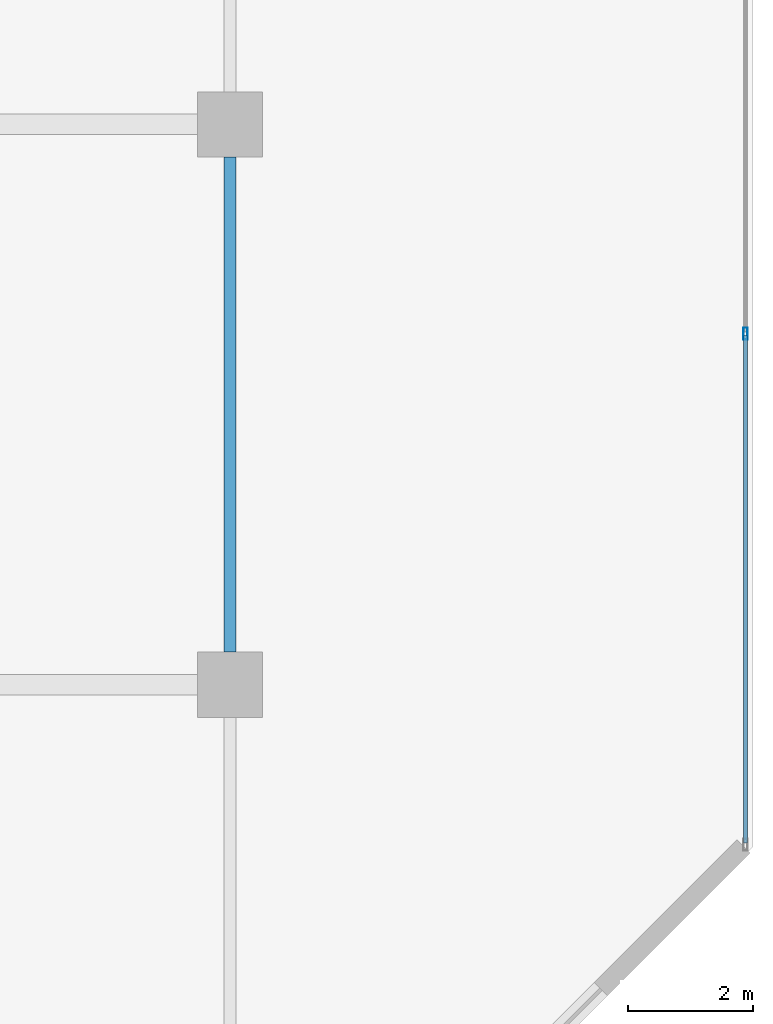
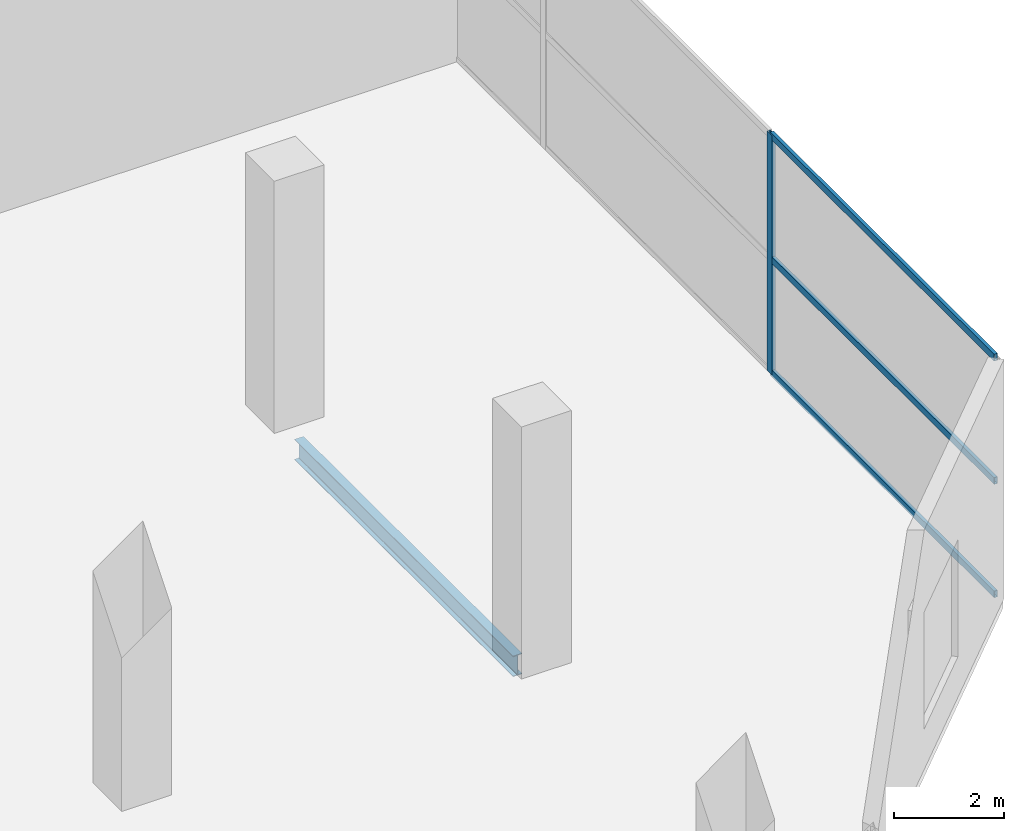
# One storey, part 25 of 40: 4 members, 1 beam, 1 element without a shape of its own.
"""IFC4 building model written with IfcOpenShell, lengths in metres."""

from ifc_helpers import new_model, si_unit, direction, frame, origin, origin_2d, place, context, subcontext, project, spatial, hollow_rectangle, i_section, extrude, material, layer, layer_set, material_profile, profile_set, type_object, element, aggregate, save


model = new_model("IFC4")

# Units and contexts
model_context = context("Model", 3, precision=1e-05, world=origin(), true_north=direction((0.0, 1.0)))
body_context = subcontext(model_context, "Body", "Model", "MODEL_VIEW")
ifc_project = project(units=[si_unit("LENGTHUNIT", "METRE"), si_unit("AREAUNIT", "SQUARE_METRE"), si_unit("VOLUMEUNIT", "CUBIC_METRE"), si_unit("PLANEANGLEUNIT", "RADIAN"), si_unit("MASSUNIT", "GRAM", prefix="KILO")], contexts=[model_context])

# Site, building, storey
site_placement = place(None, origin())
site = spatial("IfcSite", under=ifc_project, at=site_placement, CompositionType="ELEMENT")
building_placement = place(site_placement, origin())
building = spatial("IfcBuilding", under=site, at=building_placement, Name="Maruvema Waterfront Hotel and Observation Tower", CompositionType="ELEMENT")
storey_placement = place(building_placement, frame((0.0, 0.0, 10.85009765625)))
storey = spatial("IfcBuildingStorey", under=building, at=storey_placement, Name="L02", CompositionType="ELEMENT", Elevation=10.85009765625)

# Curtain wall, members
ifc_material_1 = material(Name="Anodised bronze aluminium and solar-control low-E IGU", Category="aluminium")
ifc_layer = layer(ifc_material_1, 0.159912109375, Name="Podium Waterfront Storefront Curtain Wall System CW-01")
ifc_layer_set = layer_set([ifc_layer], Name="Anodised bronze aluminium and solar-control low-E IGU")
curtain_wall_type = type_object("IfcCurtainWallType", Name="Podium Waterfront Storefront Curtain Wall System CW-01", PredefinedType="USERDEFINED", material=ifc_layer_set)
curtain_wall_placement = place(storey_placement, origin())
curtain_wall = element("IfcCurtainWall", 1, at=curtain_wall_placement, inside=storey, type_object=curtain_wall_type, Name="L02 Curtain Wall CW-L02-E", ObjectType="UNITISED CURTAIN WALL", PredefinedType="USERDEFINED")
ifc_material_2 = material(Name="Anodised architectural bronze aluminium", Category="aluminium")
ifc_material_profile_1 = material_profile(ifc_material_2, hollow_rectangle(XDim=0.070068359375, YDim=0.14990234375, WallThickness=0.00390625, at=origin_2d()), Name="ALU-T70x150")
ifc_profile_set_1 = profile_set([ifc_material_profile_1], Name="Anodised architectural bronze aluminium")
member_type_1 = type_object("IfcMemberType", Name="Curtain Wall Horizontal Transom ALU-T70x150", PredefinedType="USERDEFINED", material=ifc_profile_set_1)
member_1_placement = place(storey_placement, frame((75.47998046875, 6.4599609375, 0.02978515625), z_axis=(0.0, 1.0, 0.0), x_axis=(-1.0, 0.0, 0.0)))
member_1 = element("IfcMember", 2, at=member_1_placement, type_object=member_type_1, Name="CW-01 transom 1.1", ObjectType="TRANSOM", PredefinedType="USERDEFINED", context=body_context, shape_type="SweptSolid", body=[
    extrude(hollow_rectangle(XDim=0.070068359375, YDim=0.14990234375, WallThickness=0.00390625, at=origin_2d()), origin(), (0.0, 0.0, 1.0), 8.150146484375),
])
member_2_placement = place(storey_placement, frame((75.47998046875, 6.4599609375, 2.5498046875), z_axis=(0.0, 1.0, 0.0), x_axis=(-1.0, 0.0, 0.0)))
member_2 = element("IfcMember", 3, at=member_2_placement, type_object=member_type_1, Name="CW-01 transom 1.2", ObjectType="TRANSOM", PredefinedType="USERDEFINED", context=body_context, shape_type="SweptSolid", body=[
    extrude(hollow_rectangle(XDim=0.070068359375, YDim=0.14990234375, WallThickness=0.00390625, at=origin_2d()), origin(), (0.0, 0.0, 1.0), 8.150146484375),
])
member_3_placement = place(storey_placement, frame((75.47998046875, 6.4599609375, 5.289794921875), z_axis=(0.0, 1.0, 0.0), x_axis=(-1.0, 0.0, 0.0)))
member_3 = element("IfcMember", 4, at=member_3_placement, type_object=member_type_1, Name="CW-01 transom 1.3", ObjectType="TRANSOM", PredefinedType="USERDEFINED", context=body_context, shape_type="SweptSolid", body=[
    extrude(hollow_rectangle(XDim=0.070068359375, YDim=0.14990234375, WallThickness=0.00390625, at=origin_2d()), origin(), (0.0, 0.0, 1.0), 8.150146484375),
])

# Beam
ifc_material_3 = material(Name="Steel ASTM A572 Grade 50", Category="steel")
ifc_material_profile_2 = material_profile(ifc_material_3, i_section(OverallWidth=0.18994140625, OverallDepth=0.45703125, WebThickness=0.009033203125, FlangeThickness=0.014404296875, FilletRadius=0.014892578125, at=origin_2d()), Name="W460x74.0")
ifc_profile_set_2 = profile_set([ifc_material_profile_2], Name="Steel ASTM A572 Grade 50")
beam_type = type_object("IfcBeamType", Name="Perimeter Spandrel Beam W460x74.0", PredefinedType="SPANDREL", material=ifc_profile_set_2)
beam_placement = place(storey_placement, frame((67.199951171875, 9.52490234375, -0.508544921875), z_axis=(0.0, 1.0, 0.0), x_axis=(-1.0, 0.0, 0.0)))
element("IfcBeam", 5, at=beam_placement, inside=storey, type_object=beam_type, Name="L02 Floor Girder NS-30", PredefinedType="SPANDREL", context=body_context, shape_type="SweptSolid", body=[
    extrude(i_section(OverallWidth=0.18994140625, OverallDepth=0.45703125, WebThickness=0.009033203125, FlangeThickness=0.014404296875, FilletRadius=0.014892578125, at=origin_2d()), origin(), (0.0, 0.0, 1.0), 7.9501953125),
])

# Member
ifc_material_4 = material(Name="Anodised architectural bronze aluminium", Category="aluminium")
ifc_material_profile_3 = material_profile(ifc_material_4, hollow_rectangle(XDim=0.070068359375, YDim=0.18994140625, WallThickness=0.00390625, at=origin_2d()), Name="ALU-M70x190")
ifc_profile_set_3 = profile_set([ifc_material_profile_3], Name="Anodised architectural bronze aluminium")
member_type_2 = type_object("IfcMemberType", Name="Podium Storefront Heavy Mullion ALU-M70x190", PredefinedType="MULLION", material=ifc_profile_set_3)
member_4_placement = place(storey_placement, frame((75.47998046875, 14.639892578125, 0.0), z_axis=(0.0, 0.0, 1.0), x_axis=(-1.0, 0.0, 0.0)))
member_4 = element("IfcMember", 6, at=member_4_placement, type_object=member_type_2, Name="CW-01 mullion 2", PredefinedType="MULLION", context=body_context, shape_type="SweptSolid", body=[
    extrude(hollow_rectangle(XDim=0.070068359375, YDim=0.18994140625, WallThickness=0.00390625, at=origin_2d()), origin(), (0.0, 0.0, 1.0), 5.31982421875),
])

aggregate(curtain_wall, [member_4, member_1, member_2, member_3])

save(model, "model.ifc")
